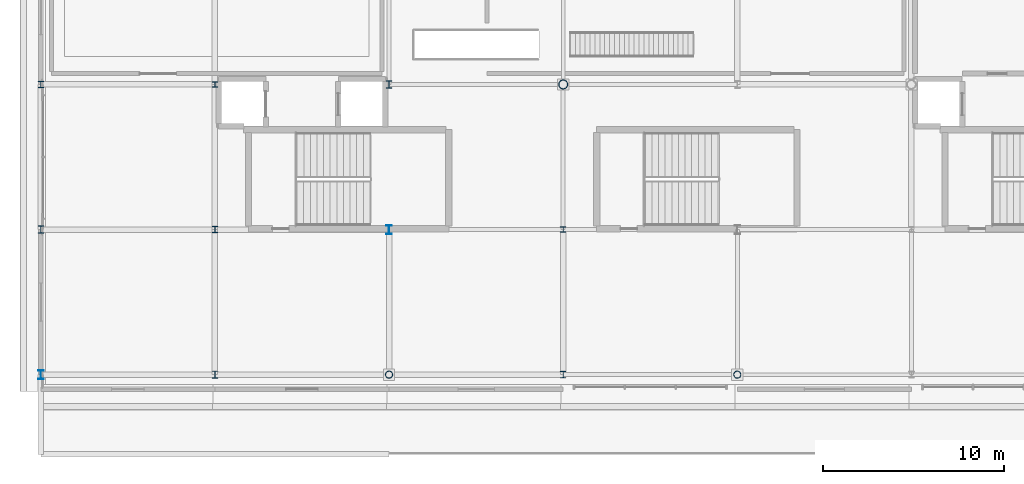
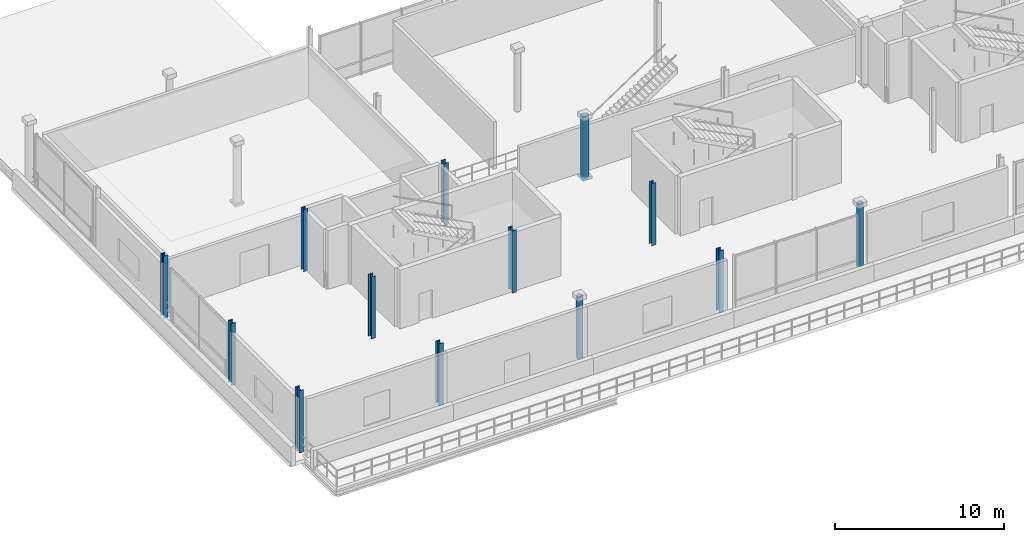
# One storey, part 1 of 36: 13 columns.
"""IFC4 building model written with IfcOpenShell, lengths in metres."""

from ifc_helpers import new_model, si_unit, direction, frame, origin, origin_2d, place, context, subcontext, project, spatial, hollow_circle, i_section, extrude, material, material_profile, profile_set, type_object, element, save


model = new_model("IFC4")

# Units and contexts
model_context = context("Model", 3, precision=1e-05, world=origin(), true_north=direction((0.0, 1.0)))
body_context = subcontext(model_context, "Body", "Model", "MODEL_VIEW")
ifc_project = project(units=[si_unit("LENGTHUNIT", "METRE"), si_unit("AREAUNIT", "SQUARE_METRE"), si_unit("VOLUMEUNIT", "CUBIC_METRE"), si_unit("PLANEANGLEUNIT", "RADIAN"), si_unit("MASSUNIT", "GRAM", prefix="KILO")], contexts=[model_context])

# Site, building, storey
site_placement = place(None, origin())
site = spatial("IfcSite", under=ifc_project, at=site_placement, CompositionType="ELEMENT")
building_placement = place(site_placement, origin())
building = spatial("IfcBuilding", under=site, at=building_placement, Name="Danafjord Basin Convention Centre", CompositionType="ELEMENT")
storey_placement = place(building_placement, frame((0.0, 0.0, 20.39990234375)))
storey = spatial("IfcBuildingStorey", under=building, at=storey_placement, Name="L04", CompositionType="ELEMENT", Elevation=20.39990234375)

# Columns
ifc_material = material(Name="Steel S355", Category="steel")
ifc_material_profile_1 = material_profile(ifc_material, hollow_circle(Radius=0.203125, WallThickness=0.02001953125, at=origin_2d()), Name="CHS 406.4x20.0")
ifc_profile_set_1 = profile_set([ifc_material_profile_1], Name="Steel S355")
column_type_1 = type_object("IfcColumnType", Name="COL-C-CHS406", PredefinedType="COLUMN", material=ifc_profile_set_1)
for number, where, z_axis, x_axis, name in (
    (1, (19.199951171875, 8.0, 0.0), (0.0, 0.0, 1.0), (1.0, 0.0, 0.0), "L04 column C-CHS406 at (19.2, 8.0)"),
    (2, (38.39990234375, 8.0, 0.0), (0.0, 0.0, 1.0), (1.0, 0.0, 0.0), "L04 column C-CHS406 at (38.4, 8.0)"),
):
    element("IfcColumn", number, at=place(storey_placement, frame(where, z_axis=z_axis, x_axis=x_axis)), inside=storey, type_object=column_type_1, Name=name, PredefinedType="COLUMN", context=body_context, shape_type="SweptSolid", body=[
        extrude(hollow_circle(Radius=0.203125, WallThickness=0.02001953125, at=origin_2d()), origin(), (0.0, 0.0, 1.0), 4.5),
    ])
ifc_material_profile_2 = material_profile(ifc_material, hollow_circle(Radius=0.25390625, WallThickness=0.02490234375, at=origin_2d()), Name="CHS 508.0x25.0")
ifc_profile_set_2 = profile_set([ifc_material_profile_2], Name="Steel S355")
column_type_2 = type_object("IfcColumnType", Name="COL-C-CHS508", PredefinedType="COLUMN", material=ifc_profile_set_2)
column_placement = place(storey_placement, frame((28.800048828125, 24.0, 0.0), z_axis=(0.0, 0.0, 1.0), x_axis=(1.0, 0.0, 0.0)))
element("IfcColumn", 3, at=column_placement, inside=storey, type_object=column_type_2, Name="L04 column C-CHS508 at (28.8, 24.0)", PredefinedType="COLUMN", context=body_context, shape_type="SweptSolid", body=[
    extrude(hollow_circle(Radius=0.25390625, WallThickness=0.02490234375, at=origin_2d()), origin(), (0.0, 0.0, 1.0), 4.5),
])
ifc_material_profile_3 = material_profile(ifc_material, i_section(OverallWidth=0.300048828125, OverallDepth=0.300048828125, WebThickness=0.010986328125, FlangeThickness=0.01904296875, FilletRadius=0.027099609375, at=origin_2d()), Name="HEB 300")
ifc_profile_set_3 = profile_set([ifc_material_profile_3], Name="Steel S355")
column_type_3 = type_object("IfcColumnType", Name="COL-C-HEB300", PredefinedType="COLUMN", material=ifc_profile_set_3)
for number, where, z_axis, x_axis, name in (
    (4, (9.60009765625, 24.0, 0.0), (0.0, 0.0, 1.0), (1.0, 0.0, 0.0), "L04 column C-HEB300 at (9.6, 24.0)"),
    (5, (28.800048828125, 16.0, 0.0), (0.0, 0.0, 1.0), (1.0, 0.0, 0.0), "L04 column C-HEB300 at (28.8, 16.0)"),
):
    element("IfcColumn", number, at=place(storey_placement, frame(where, z_axis=z_axis, x_axis=x_axis)), inside=storey, type_object=column_type_3, Name=name, PredefinedType="COLUMN", context=body_context, shape_type="SweptSolid", body=[
        extrude(i_section(OverallWidth=0.300048828125, OverallDepth=0.300048828125, WebThickness=0.010986328125, FlangeThickness=0.01904296875, FilletRadius=0.027099609375, at=origin_2d()), origin(), (0.0, 0.0, 1.0), 4.5),
    ])
ifc_material_profile_4 = material_profile(ifc_material, i_section(OverallWidth=0.300048828125, OverallDepth=0.360107421875, WebThickness=0.012451171875, FlangeThickness=0.0224609375, FilletRadius=0.027099609375, at=origin_2d()), Name="HEB 360")
ifc_profile_set_4 = profile_set([ifc_material_profile_4], Name="Steel S355")
column_type_4 = type_object("IfcColumnType", Name="COL-C-HEB360", PredefinedType="COLUMN", material=ifc_profile_set_4)
for number, where, z_axis, x_axis, name in (
    (6, (0.0, 24.0, 0.0), (0.0, 0.0, 1.0), (1.0, 0.0, 0.0), "L04 column C-HEB360 at (0.0, 24.0)"),
    (7, (9.60009765625, 16.0, 0.0), (0.0, 0.0, 1.0), (1.0, 0.0, 0.0), "L04 column C-HEB360 at (9.6, 16.0)"),
    (8, (28.800048828125, 8.0, 0.0), (0.0, 0.0, 1.0), (1.0, 0.0, 0.0), "L04 column C-HEB360 at (28.8, 8.0)"),
):
    element("IfcColumn", number, at=place(storey_placement, frame(where, z_axis=z_axis, x_axis=x_axis)), inside=storey, type_object=column_type_4, Name=name, PredefinedType="COLUMN", context=body_context, shape_type="SweptSolid", body=[
        extrude(i_section(OverallWidth=0.300048828125, OverallDepth=0.360107421875, WebThickness=0.012451171875, FlangeThickness=0.0224609375, FilletRadius=0.027099609375, at=origin_2d()), origin(), (0.0, 0.0, 1.0), 4.5),
    ])
ifc_material_profile_5 = material_profile(ifc_material, i_section(OverallWidth=0.300048828125, OverallDepth=0.39990234375, WebThickness=0.013427734375, FlangeThickness=0.02392578125, FilletRadius=0.027099609375, at=origin_2d()), Name="HEB 400")
ifc_profile_set_5 = profile_set([ifc_material_profile_5], Name="Steel S355")
column_type_5 = type_object("IfcColumnType", Name="COL-C-HEB400", PredefinedType="COLUMN", material=ifc_profile_set_5)
for number, where, z_axis, x_axis, name in (
    (9, (0.0, 16.0, 0.0), (0.0, 0.0, 1.0), (1.0, 0.0, 0.0), "L04 column C-HEB400 at (0.0, 16.0)"),
    (10, (9.60009765625, 8.0, 0.0), (0.0, 0.0, 1.0), (1.0, 0.0, 0.0), "L04 column C-HEB400 at (9.6, 8.0)"),
    (11, (19.199951171875, 24.0, 0.0), (0.0, 0.0, 1.0), (1.0, 0.0, 0.0), "L04 column C-HEB400 at (19.2, 24.0)"),
):
    element("IfcColumn", number, at=place(storey_placement, frame(where, z_axis=z_axis, x_axis=x_axis)), inside=storey, type_object=column_type_5, Name=name, PredefinedType="COLUMN", context=body_context, shape_type="SweptSolid", body=[
        extrude(i_section(OverallWidth=0.300048828125, OverallDepth=0.39990234375, WebThickness=0.013427734375, FlangeThickness=0.02392578125, FilletRadius=0.027099609375, at=origin_2d()), origin(), (0.0, 0.0, 1.0), 4.5),
    ])
ifc_material_profile_6 = material_profile(ifc_material, i_section(OverallWidth=0.300048828125, OverallDepth=0.5, WebThickness=0.014404296875, FlangeThickness=0.028076171875, FilletRadius=0.027099609375, at=origin_2d()), Name="HEB 500")
ifc_profile_set_6 = profile_set([ifc_material_profile_6], Name="Steel S355")
column_type_6 = type_object("IfcColumnType", Name="COL-C-HEB500", PredefinedType="COLUMN", material=ifc_profile_set_6)
for number, where, z_axis, x_axis, name in (
    (12, (0.0, 8.0, 0.0), (0.0, 0.0, 1.0), (1.0, 0.0, 0.0), "L04 column C-HEB500 at (0.0, 8.0)"),
    (13, (19.199951171875, 16.0, 0.0), (0.0, 0.0, 1.0), (1.0, 0.0, 0.0), "L04 column C-HEB500 at (19.2, 16.0)"),
):
    element("IfcColumn", number, at=place(storey_placement, frame(where, z_axis=z_axis, x_axis=x_axis)), inside=storey, type_object=column_type_6, Name=name, PredefinedType="COLUMN", context=body_context, shape_type="SweptSolid", body=[
        extrude(i_section(OverallWidth=0.300048828125, OverallDepth=0.5, WebThickness=0.014404296875, FlangeThickness=0.028076171875, FilletRadius=0.027099609375, at=origin_2d()), origin(), (0.0, 0.0, 1.0), 4.5),
    ])

save(model, "model.ifc")
